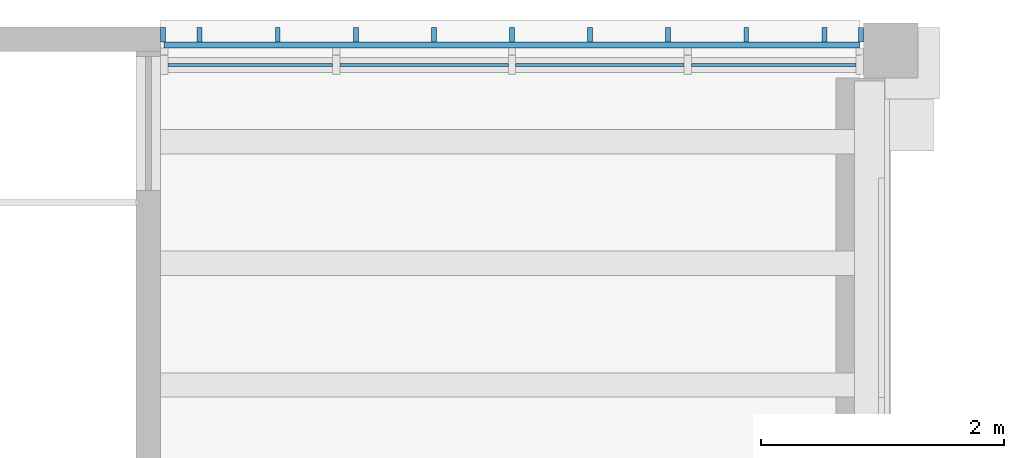
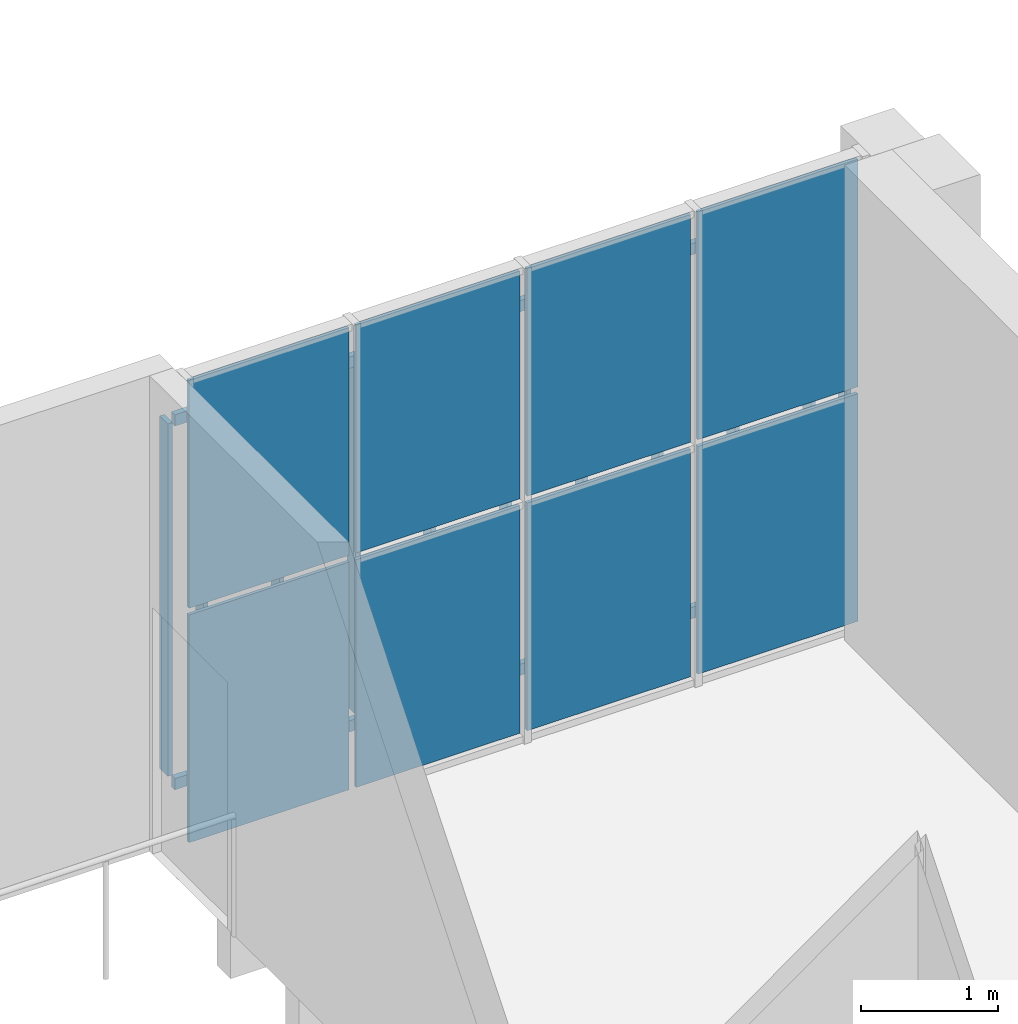
# One storey, part 21 of 70: 21 plates, 1 element without a shape of its own.
"""IFC4 building model written with IfcOpenShell, lengths in metres."""

from ifc_helpers import new_model, si_unit, direction, frame, origin, origin_2d, place, context, subcontext, project, spatial, rectangle, extrude, material, layer, layer_set, type_object, element, aggregate, save


model = new_model("IFC4")

# Units and contexts
model_context = context("Model", 3, precision=1e-05, world=origin(), true_north=direction((0.0, 1.0)))
body_context = subcontext(model_context, "Body", "Model", "MODEL_VIEW")
ifc_project = project(units=[si_unit("LENGTHUNIT", "METRE"), si_unit("AREAUNIT", "SQUARE_METRE"), si_unit("VOLUMEUNIT", "CUBIC_METRE"), si_unit("PLANEANGLEUNIT", "RADIAN"), si_unit("MASSUNIT", "GRAM", prefix="KILO")], contexts=[model_context])

# Site, building, storey
site_placement = place(None, origin())
site = spatial("IfcSite", under=ifc_project, at=site_placement, CompositionType="ELEMENT")
building_placement = place(site_placement, origin())
building = spatial("IfcBuilding", under=site, at=building_placement, Name="Saffron Lane Theatres", CompositionType="ELEMENT")
storey_placement = place(building_placement, frame((0.0, 0.0, 12.0)))
storey = spatial("IfcBuildingStorey", under=building, at=storey_placement, Name="L02", CompositionType="ELEMENT", Elevation=12.0)

# Curtain wall, plates
ifc_material_1 = material(Name="Aluminium", Category="aluminium")
curtain_wall_type = type_object("IfcCurtainWallType", Name="EX-CURTAIN WALL 5780x4250x160", PredefinedType="NOTDEFINED", material=ifc_material_1)
curtain_wall_placement = place(storey_placement, origin())
curtain_wall = element("IfcCurtainWall", 1, at=curtain_wall_placement, inside=storey, type_object=curtain_wall_type, Name="Curtain wall L02 02", PredefinedType="NOTDEFINED")
ifc_material_2 = material(Name="Glass", Category="glass")
ifc_layer_1 = layer(ifc_material_2, 0.028076171875)
ifc_layer_set_1 = layer_set([ifc_layer_1], Name="Glass")
plate_type_1 = type_object("IfcPlateType", Name="EX-CW PANEL GLAZING 28", PredefinedType="CURTAIN_PANEL", material=ifc_layer_set_1)
plate_1_placement = place(storey_placement, frame((6.73681640625, 125.6298828125, 0.06005859375), z_axis=(0.0, 0.0, 1.0), x_axis=(1.0, 0.0, 0.0)))
plate_1 = element("IfcPlate", 2, at=plate_1_placement, type_object=plate_type_1, Name="CW-02-02 panel 1.1", PredefinedType="CURTAIN_PANEL", context=body_context, shape_type="SweptSolid", body=[
    extrude(rectangle(XDim=1.353759765625, YDim=0.028076171875, at=origin_2d()), origin(), (0.0, 0.0, 1.0), 2.034912109375),
])
plate_2_placement = place(storey_placement, frame((6.73681640625, 125.6298828125, 2.1552734375), z_axis=(0.0, 0.0, 1.0), x_axis=(1.0, 0.0, 0.0)))
plate_2 = element("IfcPlate", 3, at=plate_2_placement, type_object=plate_type_1, Name="CW-02-02 panel 1.2", PredefinedType="CURTAIN_PANEL", context=body_context, shape_type="SweptSolid", body=[
    extrude(rectangle(XDim=1.353759765625, YDim=0.028076171875, at=origin_2d()), origin(), (0.0, 0.0, 1.0), 2.034912109375),
])
plate_3_placement = place(storey_placement, frame((8.16552734375, 125.6298828125, 0.06005859375), z_axis=(0.0, 0.0, 1.0), x_axis=(1.0, 0.0, 0.0)))
plate_3 = element("IfcPlate", 4, at=plate_3_placement, type_object=plate_type_1, Name="CW-02-02 panel 2.1", PredefinedType="CURTAIN_PANEL", context=body_context, shape_type="SweptSolid", body=[
    extrude(rectangle(XDim=1.3837890625, YDim=0.028076171875, at=origin_2d()), origin(), (0.0, 0.0, 1.0), 2.034912109375),
])
plate_4_placement = place(storey_placement, frame((8.16552734375, 125.6298828125, 2.1552734375), z_axis=(0.0, 0.0, 1.0), x_axis=(1.0, 0.0, 0.0)))
plate_4 = element("IfcPlate", 5, at=plate_4_placement, type_object=plate_type_1, Name="CW-02-02 panel 2.2", PredefinedType="CURTAIN_PANEL", context=body_context, shape_type="SweptSolid", body=[
    extrude(rectangle(XDim=1.3837890625, YDim=0.028076171875, at=origin_2d()), origin(), (0.0, 0.0, 1.0), 2.034912109375),
])
plate_5_placement = place(storey_placement, frame((9.609375, 125.6298828125, 0.06005859375), z_axis=(0.0, 0.0, 1.0), x_axis=(1.0, 0.0, 0.0)))
plate_5 = element("IfcPlate", 6, at=plate_5_placement, type_object=plate_type_1, Name="CW-02-02 panel 3.1", PredefinedType="CURTAIN_PANEL", context=body_context, shape_type="SweptSolid", body=[
    extrude(rectangle(XDim=1.3837890625, YDim=0.028076171875, at=origin_2d()), origin(), (0.0, 0.0, 1.0), 2.034912109375),
])
plate_6_placement = place(storey_placement, frame((9.609375, 125.6298828125, 2.1552734375), z_axis=(0.0, 0.0, 1.0), x_axis=(1.0, 0.0, 0.0)))
plate_6 = element("IfcPlate", 7, at=plate_6_placement, type_object=plate_type_1, Name="CW-02-02 panel 3.2", PredefinedType="CURTAIN_PANEL", context=body_context, shape_type="SweptSolid", body=[
    extrude(rectangle(XDim=1.3837890625, YDim=0.028076171875, at=origin_2d()), origin(), (0.0, 0.0, 1.0), 2.034912109375),
])
plate_7_placement = place(storey_placement, frame((11.0380859375, 125.6298828125, 0.06005859375), z_axis=(0.0, 0.0, 1.0), x_axis=(1.0, 0.0, 0.0)))
plate_7 = element("IfcPlate", 8, at=plate_7_placement, type_object=plate_type_1, Name="CW-02-02 panel 4.1", PredefinedType="CURTAIN_PANEL", context=body_context, shape_type="SweptSolid", body=[
    extrude(rectangle(XDim=1.353759765625, YDim=0.028076171875, at=origin_2d()), origin(), (0.0, 0.0, 1.0), 2.034912109375),
])
plate_8_placement = place(storey_placement, frame((11.0380859375, 125.6298828125, 2.1552734375), z_axis=(0.0, 0.0, 1.0), x_axis=(1.0, 0.0, 0.0)))
plate_8 = element("IfcPlate", 9, at=plate_8_placement, type_object=plate_type_1, Name="CW-02-02 panel 4.2", PredefinedType="CURTAIN_PANEL", context=body_context, shape_type="SweptSolid", body=[
    extrude(rectangle(XDim=1.353759765625, YDim=0.028076171875, at=origin_2d()), origin(), (0.0, 0.0, 1.0), 2.034912109375),
])
aggregate(curtain_wall, [plate_1, plate_2, plate_3, plate_4, plate_5, plate_6, plate_7, plate_8])

# Plates
ifc_material_3 = material(Name="Aluminium", Category="aluminium")
ifc_layer_2 = layer(ifc_material_3, 0.050048828125)
ifc_layer_set_2 = layer_set([ifc_layer_2], Name="Aluminium")
plate_type_2 = type_object("IfcPlateType", Name="EX-LATTICE RAIL 50x100", PredefinedType="SHEET", material=ifc_layer_set_2)
for number, where, z_axis, x_axis, name in (
    (10, (8.887451171875, 125.794921875, 0.449951171875), (0.0, 0.0, 1.0), (1.0, 0.0, 0.0), "Lattice rail L02-01B"),
    (11, (8.887451171875, 125.794921875, 3.699951171875), (0.0, 0.0, 1.0), (1.0, 0.0, 0.0), "Lattice rail L02-01T"),
):
    element("IfcPlate", number, at=place(storey_placement, frame(where, z_axis=z_axis, x_axis=x_axis)), inside=storey, type_object=plate_type_2, Name=name, PredefinedType="SHEET", context=body_context, shape_type="SweptSolid", body=[
        extrude(rectangle(XDim=5.71484375, YDim=0.050048828125, at=origin_2d()), origin(), (0.0, 0.0, 1.0), 0.10009765625),
    ])
ifc_material_4 = material(Name="Aluminium", Category="aluminium")
ifc_layer_3 = layer(ifc_material_4, 0.0400390625)
ifc_layer_set_3 = layer_set([ifc_layer_3], Name="Aluminium")
plate_type_3 = type_object("IfcPlateType", Name="EX-LATTICE SLAT 40x120", PredefinedType="SHEET", material=ifc_layer_set_3)
for number, where, z_axis, x_axis, name in (
    (12, (6.32080078125, 125.8798828125, 0.550048828125), (0.0, 0.0, 1.0), (1.0, 0.0, 0.0), "Lattice slat L02-01.1"),
    (13, (6.96240234375, 125.8798828125, 0.550048828125), (0.0, 0.0, 1.0), (1.0, 0.0, 0.0), "Lattice slat L02-01.2"),
    (14, (7.604248046875, 125.8798828125, 0.550048828125), (0.0, 0.0, 1.0), (1.0, 0.0, 0.0), "Lattice slat L02-01.3"),
    (15, (8.245849609375, 125.8798828125, 0.550048828125), (0.0, 0.0, 1.0), (1.0, 0.0, 0.0), "Lattice slat L02-01.4"),
    (16, (8.887451171875, 125.8798828125, 0.550048828125), (0.0, 0.0, 1.0), (1.0, 0.0, 0.0), "Lattice slat L02-01.5"),
    (17, (9.529052734375, 125.8798828125, 0.550048828125), (0.0, 0.0, 1.0), (1.0, 0.0, 0.0), "Lattice slat L02-01.6"),
    (18, (10.170654296875, 125.8798828125, 0.550048828125), (0.0, 0.0, 1.0), (1.0, 0.0, 0.0), "Lattice slat L02-01.7"),
    (19, (10.8125, 125.8798828125, 0.550048828125), (0.0, 0.0, 1.0), (1.0, 0.0, 0.0), "Lattice slat L02-01.8"),
    (20, (11.4541015625, 125.8798828125, 0.550048828125), (0.0, 0.0, 1.0), (1.0, 0.0, 0.0), "Lattice slat L02-01.9"),
    (21, (6.02001953125, 125.8798828125, 0.550048828125), (0.0, 0.0, 1.0), (1.0, 0.0, 0.0), "Lattice end stile L02-01.E0"),
    (22, (11.7548828125, 125.8798828125, 0.550048828125), (0.0, 0.0, 1.0), (1.0, 0.0, 0.0), "Lattice end stile L02-01.E1"),
):
    element("IfcPlate", number, at=place(storey_placement, frame(where, z_axis=z_axis, x_axis=x_axis)), inside=storey, type_object=plate_type_3, Name=name, PredefinedType="SHEET", context=body_context, shape_type="SweptSolid", body=[
        extrude(rectangle(XDim=0.0400390625, YDim=0.1201171875, at=origin_2d()), origin(), (0.0, 0.0, 1.0), 3.14990234375),
    ])

save(model, "model.ifc")
